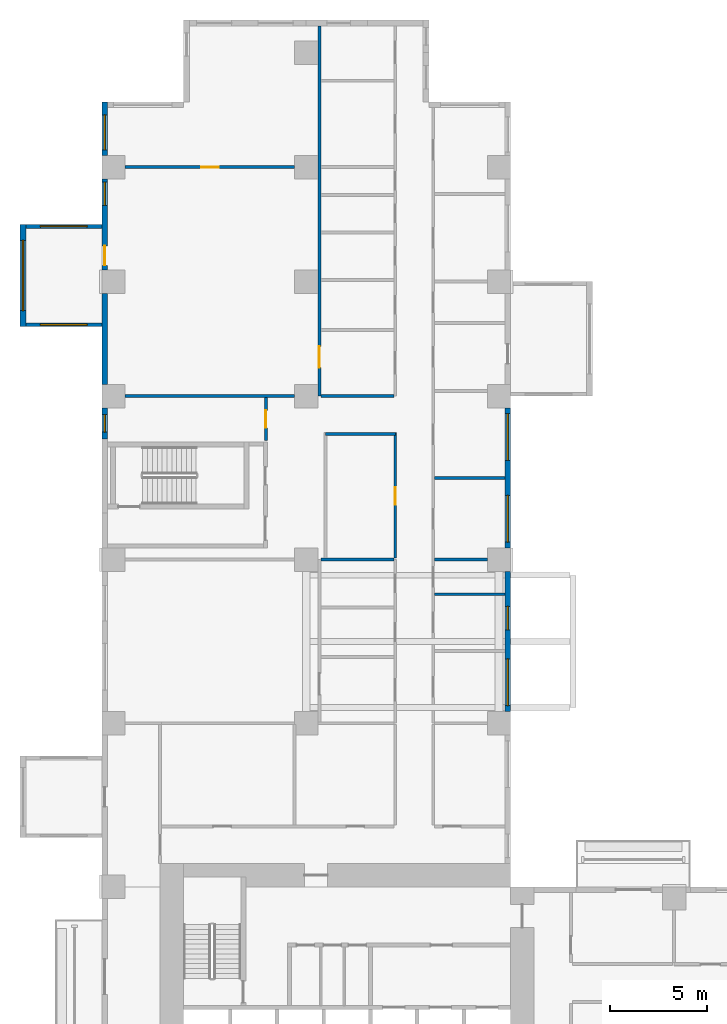
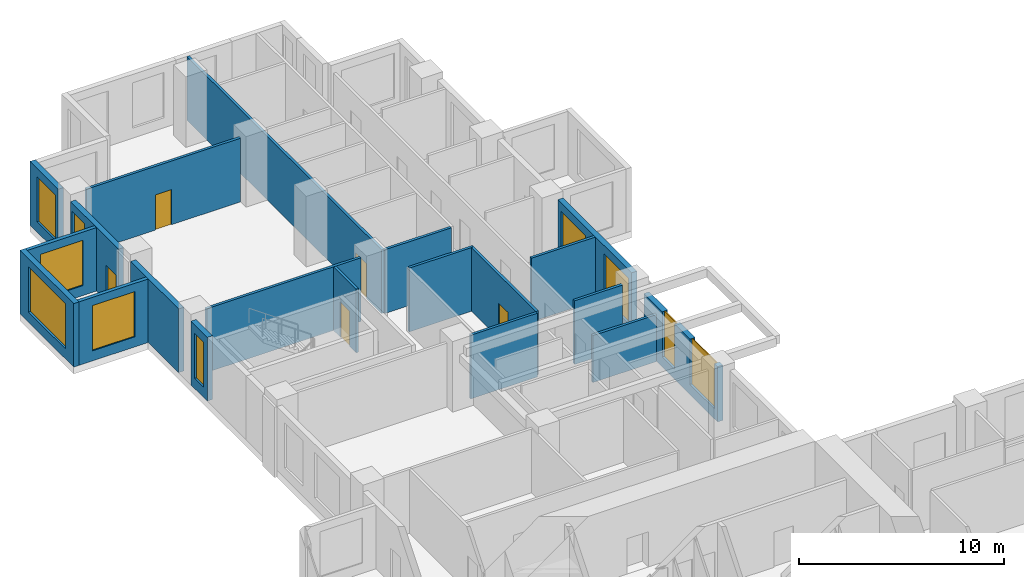
# One storey, part 7 of 14: 20 walls, 10 windows, 5 doors, 15 openings.
"""IFC4 building model written with IfcOpenShell, lengths in metres."""

from ifc_helpers import new_model, si_unit, direction, frame, frame_2d, origin, place, context, subcontext, project, spatial, rectangle, extrude, source, transform, mapped, material, layer, layer_set, type_object, element, fill, save


model = new_model("IFC4")

# Units and contexts
model_context = context("Model", 3, precision=1e-05, world=origin(), true_north=direction((0.0, 1.0)))
body_context = subcontext(model_context, "Body", "Model", "MODEL_VIEW")
ifc_project = project(units=[si_unit("LENGTHUNIT", "METRE"), si_unit("AREAUNIT", "SQUARE_METRE"), si_unit("VOLUMEUNIT", "CUBIC_METRE"), si_unit("PLANEANGLEUNIT", "RADIAN"), si_unit("MASSUNIT", "GRAM", prefix="KILO")], contexts=[model_context])

# Site, building, storey
site_placement = place(None, origin())
site = spatial("IfcSite", under=ifc_project, at=site_placement, CompositionType="ELEMENT")
building_placement = place(site_placement, origin())
building = spatial("IfcBuilding", under=site, at=building_placement, Name="Aurelian Terraces", CompositionType="ELEMENT")
storey_placement = place(building_placement, frame((0.0, 0.0, 44.7)))
storey = spatial("IfcBuildingStorey", under=building, at=storey_placement, Name="L08", CompositionType="ELEMENT", Elevation=44.7)

# Wall, opening, window
ifc_material_1 = material(Name="Concrete fc' 40 MPa", Category="concrete")
ifc_layer_1 = layer(ifc_material_1, 0.3)
ifc_layer_set_1 = layer_set([ifc_layer_1], Name="BOX BEARING WALL 300")
wall_type_1 = type_object("IfcWallType", Name="BOX BEARING WALL 300", PredefinedType="SOLIDWALL", material=ifc_layer_set_1)
wall_1_placement = place(storey_placement, frame((-4.05, 55.02, 0.0), z_axis=(0.0, 0.0, 1.0), x_axis=(0.0, -1.0, 0.0)))
wall_1 = element("IfcWall", 1, at=wall_1_placement, inside=storey, type_object=wall_type_1, Name="Box wall L08 J04", PredefinedType="SOLIDWALL", context=body_context, shape_type="SweptSolid", body=[
    extrude(rectangle(XDim=5.25, YDim=0.3, at=frame_2d((2.625, 0.0))), origin(), (0.0, 0.0, 1.0), 3.79),
])
shared_shape_1 = source(origin(), body_context, "Body", "SweptSolid", [
    extrude(rectangle(XDim=3.6, YDim=2.7, at=frame_2d((1.8, 1.35))), frame((0.0, 0.16, 0.0), z_axis=(0.0, -1.0, 0.0), x_axis=(1.0, 0.0, 0.0)), (0.0, 0.0, 1.0), 0.32),
])
opening_1_placement = place(wall_1_placement, frame((0.825, 0.0, 0.6)))
opening_1 = element("IfcOpeningElement", 2, at=opening_1_placement, cuts=wall_1, Name="Opening W3627", PredefinedType="OPENING", context=body_context, shape_type="MappedRepresentation", body=[
    mapped(shared_shape_1, transform((0.0, 0.0, 0.0), scale=1.0)),
])
ifc_material_2 = material(Name="Clear glazing", Category="glass")
window_type_1 = type_object("IfcWindowType", Name="W-3600x2700", PartitioningType="SINGLE_PANEL", PredefinedType="WINDOW", material=ifc_material_2)
shared_shape_2 = source(origin(), body_context, "Body", "SweptSolid", [
    extrude(rectangle(XDim=3.6, YDim=2.7, at=frame_2d((1.8, 1.35))), frame((0.0, 0.03, 0.0), z_axis=(0.0, -1.0, 0.0), x_axis=(1.0, 0.0, 0.0)), (0.0, 0.0, 1.0), 0.06),
])
window_1_placement = place(opening_1_placement, origin())
window_1 = element("IfcWindow", 3, at=window_1_placement, inside=storey, type_object=window_type_1, Name="Window L08 J04-F1", OverallHeight=2.7, OverallWidth=3.6, PartitioningType="SINGLE_PANEL", PredefinedType="WINDOW", context=body_context, shape_type="MappedRepresentation", body=[
    mapped(shared_shape_2, transform((0.0, 0.0, 0.0), scale=1.0)),
])
fill(opening_1, window_1)

# Wall, opening, door
ifc_material_3 = material(Name="Gypsum board on steel studs", Category="steel")
ifc_layer_2 = layer(ifc_material_3, 0.15)
ifc_layer_set_2 = layer_set([ifc_layer_2], Name="Partition 150")
wall_type_2 = type_object("IfcWallType", Name="Partition 150", PredefinedType="PARTITIONING", material=ifc_layer_set_2)
wall_2_placement = place(storey_placement, frame((11.175, 46.2, 0.0), z_axis=(0.0, 0.0, 1.0), x_axis=(0.0, 1.0, 0.0)))
wall_2 = element("IfcWall", 4, at=wall_2_placement, inside=storey, type_object=wall_type_2, Name="Partition", PredefinedType="PARTITIONING", context=body_context, shape_type="SweptSolid", body=[
    extrude(rectangle(XDim=19.02, YDim=0.15, at=frame_2d((9.51, 0.0))), origin(), (0.0, 0.0, 1.0), 3.8),
])
shared_shape_3 = source(origin(), body_context, "Body", "SweptSolid", [
    extrude(rectangle(XDim=1.1, YDim=2.1, at=frame_2d((0.55, 1.05))), frame((0.0, 0.085, 0.0), z_axis=(0.0, -1.0, 0.0), x_axis=(1.0, 0.0, 0.0)), (0.0, 0.0, 1.0), 0.17),
])
opening_2_placement = place(wall_2_placement, frame((1.4603, 0.0, 0.0)))
opening_2 = element("IfcOpeningElement", 5, at=opening_2_placement, cuts=wall_2, Name="Opening 708039", PredefinedType="OPENING", context=body_context, shape_type="MappedRepresentation", body=[
    mapped(shared_shape_3, transform((0.0, 0.0, 0.0), scale=1.0)),
])
ifc_material_4 = material(Name="Timber door leaf", Category="wood")
door_type_1 = type_object("IfcDoorType", Name="Room door 1100x2100 left", OperationType="SINGLE_SWING_LEFT", PredefinedType="DOOR", material=ifc_material_4)
shared_shape_4 = source(origin(), body_context, "Body", "SweptSolid", [
    extrude(rectangle(XDim=1.1, YDim=2.1, at=frame_2d((0.55, 1.05))), frame((0.0, 0.025, 0.0), z_axis=(0.0, -1.0, 0.0), x_axis=(1.0, 0.0, 0.0)), (0.0, 0.0, 1.0), 0.05),
])
door_1_placement = place(opening_2_placement, origin())
door_1 = element("IfcDoor", 6, at=door_1_placement, inside=storey, type_object=door_type_1, Name="Door 708039", OperationType="SINGLE_SWING_LEFT", OverallHeight=2.1, OverallWidth=1.1, PredefinedType="DOOR", context=body_context, shape_type="MappedRepresentation", body=[
    mapped(shared_shape_4, transform((0.0, 0.0, 0.0), scale=1.0)),
])
fill(opening_2, door_1)

# Wall, openings, windows
ifc_material_5 = material(Name="Terracotta rainscreen cladding", Category="masonry")
ifc_layer_3 = layer(ifc_material_5, 0.3)
ifc_layer_set_3 = layer_set([ifc_layer_3], Name="EW-300")
wall_type_3 = type_object("IfcWallType", Name="EW-300", PredefinedType="STANDARD", material=ifc_layer_set_3)
shared_shape_5 = source(origin(), body_context, "Body", "SweptSolid", [
    extrude(rectangle(XDim=7.2, YDim=0.3, at=frame_2d((3.6, 0.0))), origin(), (0.0, 0.0, 1.0), 3.8),
])
wall_3_placement = place(storey_placement, frame((20.85, 38.4, 0.0), z_axis=(0.0, 0.0, 1.0), x_axis=(0.0, 1.0, 0.0)))
wall_3 = element("IfcWall", 7, at=wall_3_placement, inside=storey, type_object=wall_type_3, Name="External wall L08 F08.30", PredefinedType="STANDARD", context=body_context, shape_type="MappedRepresentation", body=[
    mapped(shared_shape_5, transform((0.0, 0.0, 0.0), scale=1.0)),
])
shared_shape_6 = source(origin(), body_context, "Body", "SweptSolid", [
    extrude(rectangle(XDim=2.4, YDim=2.7, at=frame_2d((1.2, 1.35))), frame((0.0, 0.16, 0.0), z_axis=(0.0, -1.0, 0.0), x_axis=(1.0, 0.0, 0.0)), (0.0, 0.0, 1.0), 0.32),
])
opening_3_placement = place(wall_3_placement, frame((0.3, 0.0, 0.6)))
opening_3 = element("IfcOpeningElement", 8, at=opening_3_placement, cuts=wall_3, Name="Opening W2427", PredefinedType="OPENING", context=body_context, shape_type="MappedRepresentation", body=[
    mapped(shared_shape_6, transform((0.0, 0.0, 0.0), scale=1.0)),
])
opening_4_placement = place(wall_3_placement, frame((4.5, 0.0, 0.6)))
opening_4 = element("IfcOpeningElement", 9, at=opening_4_placement, cuts=wall_3, Name="Opening W2427", PredefinedType="OPENING", context=body_context, shape_type="MappedRepresentation", body=[
    mapped(shared_shape_6, transform((0.0, 0.0, 0.0), scale=1.0)),
])
window_type_2 = type_object("IfcWindowType", Name="W-2400x2700", PartitioningType="SINGLE_PANEL", PredefinedType="WINDOW", material=ifc_material_2)
shared_shape_7 = source(origin(), body_context, "Body", "SweptSolid", [
    extrude(rectangle(XDim=2.4, YDim=2.7, at=frame_2d((1.2, 1.35))), frame((0.0, 0.03, 0.0), z_axis=(0.0, -1.0, 0.0), x_axis=(1.0, 0.0, 0.0)), (0.0, 0.0, 1.0), 0.06),
])
window_2_placement = place(opening_3_placement, origin())
window_2 = element("IfcWindow", 10, at=window_2_placement, inside=storey, type_object=window_type_2, Name="Window L08 L08-F08-30-0", OverallHeight=2.7, OverallWidth=2.4, PartitioningType="SINGLE_PANEL", PredefinedType="WINDOW", context=body_context, shape_type="MappedRepresentation", body=[
    mapped(shared_shape_7, transform((0.0, 0.0, 0.0), scale=1.0)),
])
fill(opening_3, window_2)
window_3_placement = place(opening_4_placement, origin())
window_3 = element("IfcWindow", 11, at=window_3_placement, inside=storey, type_object=window_type_2, Name="Window L08 L08-F08-30-1", OverallHeight=2.7, OverallWidth=2.4, PartitioningType="SINGLE_PANEL", PredefinedType="WINDOW", context=body_context, shape_type="MappedRepresentation", body=[
    mapped(shared_shape_7, transform((0.0, 0.0, 0.0), scale=1.0)),
])
fill(opening_4, window_3)

# Wall, openings, window, door
shared_shape_8 = source(origin(), body_context, "Body", "SweptSolid", [
    extrude(rectangle(XDim=4.68, YDim=0.3, at=frame_2d((2.34, 0.0))), origin(), (0.0, 0.0, 1.0), 3.8),
])
wall_4_placement = place(storey_placement, frame((0.15, 57.36, 0.0), z_axis=(0.0, 0.0, 1.0), x_axis=(0.0, -1.0, 0.0)))
wall_4 = element("IfcWall", 12, at=wall_4_placement, inside=storey, type_object=wall_type_3, Name="External wall L08 F14.42", PredefinedType="STANDARD", context=body_context, shape_type="MappedRepresentation", body=[
    mapped(shared_shape_8, transform((0.0, 0.0, 0.0), scale=1.0)),
])
shared_shape_9 = source(origin(), body_context, "Body", "SweptSolid", [
    extrude(rectangle(XDim=1.2, YDim=2.7, at=frame_2d((0.6, 1.35))), frame((0.0, 0.16, 0.0), z_axis=(0.0, -1.0, 0.0), x_axis=(1.0, 0.0, 0.0)), (0.0, 0.0, 1.0), 0.32),
])
opening_5_placement = place(wall_4_placement, frame((0.165, 0.0, 0.6)))
opening_5 = element("IfcOpeningElement", 13, at=opening_5_placement, cuts=wall_4, Name="Opening W1227", PredefinedType="OPENING", context=body_context, shape_type="MappedRepresentation", body=[
    mapped(shared_shape_9, transform((0.0, 0.0, 0.0), scale=1.0)),
])
shared_shape_10 = source(origin(), body_context, "Body", "SweptSolid", [
    extrude(rectangle(XDim=1.0, YDim=2.1, at=frame_2d((0.5, 1.05))), frame((0.0, 0.16, 0.0), z_axis=(0.0, -1.0, 0.0), x_axis=(1.0, 0.0, 0.0)), (0.0, 0.0, 1.0), 0.32),
])
opening_6_placement = place(wall_4_placement, frame((3.4442, 0.0, 0.0)))
opening_6 = element("IfcOpeningElement", 14, at=opening_6_placement, cuts=wall_4, Name="Opening 808004", PredefinedType="OPENING", context=body_context, shape_type="MappedRepresentation", body=[
    mapped(shared_shape_10, transform((0.0, 0.0, 0.0), scale=1.0)),
])
window_type_3 = type_object("IfcWindowType", Name="W-1200x2700", PartitioningType="SINGLE_PANEL", PredefinedType="WINDOW", material=ifc_material_2)
shared_shape_11 = source(origin(), body_context, "Body", "SweptSolid", [
    extrude(rectangle(XDim=1.2, YDim=2.7, at=frame_2d((0.6, 1.35))), frame((0.0, 0.03, 0.0), z_axis=(0.0, -1.0, 0.0), x_axis=(1.0, 0.0, 0.0)), (0.0, 0.0, 1.0), 0.06),
])
window_4_placement = place(opening_5_placement, origin())
window_4 = element("IfcWindow", 15, at=window_4_placement, inside=storey, type_object=window_type_3, Name="Window L08 L08-F14-42-1", OverallHeight=2.7, OverallWidth=1.2, PartitioningType="SINGLE_PANEL", PredefinedType="WINDOW", context=body_context, shape_type="MappedRepresentation", body=[
    mapped(shared_shape_11, transform((0.0, 0.0, 0.0), scale=1.0)),
])
fill(opening_5, window_4)
door_type_2 = type_object("IfcDoorType", Name="Room door 1000x2100 left", OperationType="SINGLE_SWING_LEFT", PredefinedType="DOOR", material=ifc_material_4)
shared_shape_12 = source(origin(), body_context, "Body", "SweptSolid", [
    extrude(rectangle(XDim=1.0, YDim=2.1, at=frame_2d((0.5, 1.05))), frame((0.0, 0.025, 0.0), z_axis=(0.0, -1.0, 0.0), x_axis=(1.0, 0.0, 0.0)), (0.0, 0.0, 1.0), 0.05),
])
door_2_placement = place(opening_6_placement, origin())
door_2 = element("IfcDoor", 16, at=door_2_placement, inside=storey, type_object=door_type_2, Name="Door 808004", OperationType="SINGLE_SWING_LEFT", OverallHeight=2.1, OverallWidth=1.0, PredefinedType="DOOR", context=body_context, shape_type="MappedRepresentation", body=[
    mapped(shared_shape_12, transform((0.0, 0.0, 0.0), scale=1.0)),
])
fill(opening_6, door_2)

# Wall
wall_5_placement = place(storey_placement, frame((0.15, 51.48, 0.0), z_axis=(0.0, 0.0, 1.0), x_axis=(0.0, -1.0, 0.0)))
element("IfcWall", 17, at=wall_5_placement, inside=storey, type_object=wall_type_3, Name="External wall L08 F14.42", PredefinedType="STANDARD", context=body_context, shape_type="MappedRepresentation", body=[
    mapped(shared_shape_8, transform((0.0, 0.0, 0.0), scale=1.0)),
])

# Wall, opening, window
shared_shape_13 = source(origin(), body_context, "Body", "SweptSolid", [
    extrude(rectangle(XDim=2.76, YDim=0.3, at=frame_2d((1.38, 0.0))), origin(), (0.0, 0.0, 1.0), 3.8),
])
wall_6_placement = place(storey_placement, frame((0.15, 61.32, 0.0), z_axis=(0.0, 0.0, 1.0), x_axis=(0.0, -1.0, 0.0)))
wall_6 = element("IfcWall", 18, at=wall_6_placement, inside=storey, type_object=wall_type_3, Name="External wall L08 F14.42", PredefinedType="STANDARD", context=body_context, shape_type="MappedRepresentation", body=[
    mapped(shared_shape_13, transform((0.0, 0.0, 0.0), scale=1.0)),
])
shared_shape_14 = source(origin(), body_context, "Body", "SweptSolid", [
    extrude(rectangle(XDim=1.8, YDim=2.7, at=frame_2d((0.9, 1.35))), frame((0.0, 0.16, 0.0), z_axis=(0.0, -1.0, 0.0), x_axis=(1.0, 0.0, 0.0)), (0.0, 0.0, 1.0), 0.32),
])
opening_7_placement = place(wall_6_placement, frame((0.675, 0.0, 0.6)))
opening_7 = element("IfcOpeningElement", 19, at=opening_7_placement, cuts=wall_6, Name="Opening W1827", PredefinedType="OPENING", context=body_context, shape_type="MappedRepresentation", body=[
    mapped(shared_shape_14, transform((0.0, 0.0, 0.0), scale=1.0)),
])
window_type_4 = type_object("IfcWindowType", Name="W-1800x2700", PartitioningType="SINGLE_PANEL", PredefinedType="WINDOW", material=ifc_material_2)
shared_shape_15 = source(origin(), body_context, "Body", "SweptSolid", [
    extrude(rectangle(XDim=1.8, YDim=2.7, at=frame_2d((0.9, 1.35))), frame((0.0, 0.03, 0.0), z_axis=(0.0, -1.0, 0.0), x_axis=(1.0, 0.0, 0.0)), (0.0, 0.0, 1.0), 0.06),
])
window_5_placement = place(opening_7_placement, origin())
window_5 = element("IfcWindow", 20, at=window_5_placement, inside=storey, type_object=window_type_4, Name="Window L08 L08-F14-42-0", OverallHeight=2.7, OverallWidth=1.8, PartitioningType="SINGLE_PANEL", PredefinedType="WINDOW", context=body_context, shape_type="MappedRepresentation", body=[
    mapped(shared_shape_15, transform((0.0, 0.0, 0.0), scale=1.0)),
])
fill(opening_7, window_5)

shared_shape_16 = source(origin(), body_context, "Body", "SweptSolid", [
    extrude(rectangle(XDim=1.6, YDim=0.3, at=frame_2d((0.8, 0.0))), origin(), (0.0, 0.0, 1.0), 3.8),
])
wall_7_placement = place(storey_placement, frame((0.15, 45.6, 0.0), z_axis=(0.0, 0.0, 1.0), x_axis=(0.0, -1.0, 0.0)))
wall_7 = element("IfcWall", 21, at=wall_7_placement, inside=storey, type_object=wall_type_3, Name="External wall L08 F14.42", PredefinedType="STANDARD", context=body_context, shape_type="MappedRepresentation", body=[
    mapped(shared_shape_16, transform((0.0, 0.0, 0.0), scale=1.0)),
])
shared_shape_17 = source(origin(), body_context, "Body", "SweptSolid", [
    extrude(rectangle(XDim=0.9, YDim=2.7, at=frame_2d((0.45, 1.35))), frame((0.0, 0.16, 0.0), z_axis=(0.0, -1.0, 0.0), x_axis=(1.0, 0.0, 0.0)), (0.0, 0.0, 1.0), 0.32),
])
opening_8_placement = place(wall_7_placement, frame((0.35, 0.0, 0.6)))
opening_8 = element("IfcOpeningElement", 22, at=opening_8_placement, cuts=wall_7, Name="Opening W0927", PredefinedType="OPENING", context=body_context, shape_type="MappedRepresentation", body=[
    mapped(shared_shape_17, transform((0.0, 0.0, 0.0), scale=1.0)),
])
window_type_5 = type_object("IfcWindowType", Name="W-900x2700", PartitioningType="SINGLE_PANEL", PredefinedType="WINDOW", material=ifc_material_2)
shared_shape_18 = source(origin(), body_context, "Body", "SweptSolid", [
    extrude(rectangle(XDim=0.9, YDim=2.7, at=frame_2d((0.45, 1.35))), frame((0.0, 0.03, 0.0), z_axis=(0.0, -1.0, 0.0), x_axis=(1.0, 0.0, 0.0)), (0.0, 0.0, 1.0), 0.06),
])
window_6_placement = place(opening_8_placement, origin())
window_6 = element("IfcWindow", 23, at=window_6_placement, inside=storey, type_object=window_type_5, Name="Window L08 L08-F14-42-P3", OverallHeight=2.7, OverallWidth=0.9, PartitioningType="SINGLE_PANEL", PredefinedType="WINDOW", context=body_context, shape_type="MappedRepresentation", body=[
    mapped(shared_shape_18, transform((0.0, 0.0, 0.0), scale=1.0)),
])
fill(opening_8, window_6)

# Wall, openings, windows
shared_shape_19 = source(origin(), body_context, "Body", "SweptSolid", [
    extrude(rectangle(XDim=7.2, YDim=0.3, at=frame_2d((3.6, 0.0))), origin(), (0.0, 0.0, 1.0), 3.3),
])
wall_8_placement = place(storey_placement, frame((20.85, 30.0, 0.0), z_axis=(0.0, 0.0, 1.0), x_axis=(0.0, 1.0, 0.0)))
wall_8 = element("IfcWall", 24, at=wall_8_placement, inside=storey, type_object=wall_type_3, Name="External wall L08 F08.29", PredefinedType="STANDARD", context=body_context, shape_type="MappedRepresentation", body=[
    mapped(shared_shape_19, transform((0.0, 0.0, 0.0), scale=1.0)),
])
opening_9_placement = place(wall_8_placement, frame((0.3, 0.0, 0.6)))
opening_9 = element("IfcOpeningElement", 25, at=opening_9_placement, cuts=wall_8, Name="Opening W2427", PredefinedType="OPENING", context=body_context, shape_type="MappedRepresentation", body=[
    mapped(shared_shape_6, transform((0.0, 0.0, 0.0), scale=1.0)),
])
opening_10_placement = place(wall_8_placement, frame((4.1995, 0.0, 0.6)))
opening_10 = element("IfcOpeningElement", 26, at=opening_10_placement, cuts=wall_8, Name="Opening W1227", PredefinedType="OPENING", context=body_context, shape_type="MappedRepresentation", body=[
    mapped(shared_shape_9, transform((0.0, 0.0, 0.0), scale=1.0)),
])
window_7_placement = place(opening_9_placement, origin())
window_7 = element("IfcWindow", 27, at=window_7_placement, inside=storey, type_object=window_type_2, Name="Window L08 L08-F08-29-0", OverallHeight=2.7, OverallWidth=2.4, PartitioningType="SINGLE_PANEL", PredefinedType="WINDOW", context=body_context, shape_type="MappedRepresentation", body=[
    mapped(shared_shape_7, transform((0.0, 0.0, 0.0), scale=1.0)),
])
fill(opening_9, window_7)
window_8_placement = place(opening_10_placement, origin())
window_8 = element("IfcWindow", 28, at=window_8_placement, inside=storey, type_object=window_type_3, Name="Window L08 L08-F08-29-G0-33", OverallHeight=2.7, OverallWidth=1.2, PartitioningType="SINGLE_PANEL", PredefinedType="WINDOW", context=body_context, shape_type="MappedRepresentation", body=[
    mapped(shared_shape_11, transform((0.0, 0.0, 0.0), scale=1.0)),
])
fill(opening_10, window_8)

# Wall, opening, window
ifc_layer_4 = layer(ifc_material_1, 0.2)
ifc_layer_set_4 = layer_set([ifc_layer_4], Name="BOX BEARING WALL 200")
wall_type_4 = type_object("IfcWallType", Name="BOX BEARING WALL 200", PredefinedType="SOLIDWALL", material=ifc_layer_set_4)
shared_shape_20 = source(origin(), body_context, "Body", "SweptSolid", [
    extrude(rectangle(XDim=3.9, YDim=0.2, at=frame_2d((1.95, 0.0))), origin(), (0.0, 0.0, 1.0), 3.79),
])
wall_9_placement = place(storey_placement, frame((0.0, 54.92, 0.0), z_axis=(0.0, 0.0, 1.0), x_axis=(-1.0, 0.0, 0.0)))
wall_9 = element("IfcWall", 29, at=wall_9_placement, inside=storey, type_object=wall_type_4, Name="Box return L08 J04.1", PredefinedType="SOLIDWALL", context=body_context, shape_type="MappedRepresentation", body=[
    mapped(shared_shape_20, transform((0.0, 0.0, 0.0), scale=1.0)),
])
shared_shape_21 = source(origin(), body_context, "Body", "SweptSolid", [
    extrude(rectangle(XDim=2.4, YDim=2.7, at=frame_2d((1.2, 1.35))), frame((0.0, 0.11, 0.0), z_axis=(0.0, -1.0, 0.0), x_axis=(1.0, 0.0, 0.0)), (0.0, 0.0, 1.0), 0.22),
])
opening_11_placement = place(wall_9_placement, frame((0.75, 0.0, 0.6)))
opening_11 = element("IfcOpeningElement", 30, at=opening_11_placement, cuts=wall_9, Name="Opening W2427", PredefinedType="OPENING", context=body_context, shape_type="MappedRepresentation", body=[
    mapped(shared_shape_21, transform((0.0, 0.0, 0.0), scale=1.0)),
])
window_9_placement = place(opening_11_placement, origin())
window_9 = element("IfcWindow", 31, at=window_9_placement, inside=storey, type_object=window_type_2, Name="Window L08 J04-S1", OverallHeight=2.7, OverallWidth=2.4, PartitioningType="SINGLE_PANEL", PredefinedType="WINDOW", context=body_context, shape_type="MappedRepresentation", body=[
    mapped(shared_shape_7, transform((0.0, 0.0, 0.0), scale=1.0)),
])
fill(opening_11, window_9)

wall_10_placement = place(storey_placement, frame((0.0, 49.87, 0.0), z_axis=(0.0, 0.0, 1.0), x_axis=(-1.0, 0.0, 0.0)))
wall_10 = element("IfcWall", 32, at=wall_10_placement, inside=storey, type_object=wall_type_4, Name="Box return L08 J04.2", PredefinedType="SOLIDWALL", context=body_context, shape_type="MappedRepresentation", body=[
    mapped(shared_shape_20, transform((0.0, 0.0, 0.0), scale=1.0)),
])
opening_12_placement = place(wall_10_placement, frame((0.75, 0.0, 0.6)))
opening_12 = element("IfcOpeningElement", 33, at=opening_12_placement, cuts=wall_10, Name="Opening W2427", PredefinedType="OPENING", context=body_context, shape_type="MappedRepresentation", body=[
    mapped(shared_shape_21, transform((0.0, 0.0, 0.0), scale=1.0)),
])
window_10_placement = place(opening_12_placement, origin())
window_10 = element("IfcWindow", 34, at=window_10_placement, inside=storey, type_object=window_type_2, Name="Window L08 J04-S2", OverallHeight=2.7, OverallWidth=2.4, PartitioningType="SINGLE_PANEL", PredefinedType="WINDOW", context=body_context, shape_type="MappedRepresentation", body=[
    mapped(shared_shape_7, transform((0.0, 0.0, 0.0), scale=1.0)),
])
fill(opening_12, window_10)

# Wall, opening, door
ifc_layer_5 = layer(ifc_material_3, 0.15)
ifc_layer_set_5 = layer_set([ifc_layer_5], Name="Fire partition 150")
wall_type_5 = type_object("IfcWallType", Name="Fire partition 150", PredefinedType="PARTITIONING", material=ifc_layer_set_5)
shared_shape_22 = source(origin(), body_context, "Body", "SweptSolid", [
    extrude(rectangle(XDim=6.45, YDim=0.15, at=frame_2d((3.225, 0.0))), origin(), (0.0, 0.0, 1.0), 3.8),
])
wall_11_placement = place(storey_placement, frame((15.075, 37.875, 0.0), z_axis=(0.0, 0.0, 1.0), x_axis=(0.0, 1.0, 0.0)))
wall_11 = element("IfcWall", 35, at=wall_11_placement, inside=storey, type_object=wall_type_5, Name="Corridor wall", PredefinedType="PARTITIONING", context=body_context, shape_type="MappedRepresentation", body=[
    mapped(shared_shape_22, transform((0.0, 0.0, 0.0), scale=1.0)),
])
shared_shape_23 = source(origin(), body_context, "Body", "SweptSolid", [
    extrude(rectangle(XDim=0.9, YDim=2.1, at=frame_2d((0.45, 1.05))), frame((0.0, 0.085, 0.0), z_axis=(0.0, -1.0, 0.0), x_axis=(1.0, 0.0, 0.0)), (0.0, 0.0, 1.0), 0.17),
])
opening_13_placement = place(wall_11_placement, frame((2.7375, 0.0, 0.0)))
opening_13 = element("IfcOpeningElement", 36, at=opening_13_placement, cuts=wall_11, Name="Opening 708032", PredefinedType="OPENING", context=body_context, shape_type="MappedRepresentation", body=[
    mapped(shared_shape_23, transform((0.0, 0.0, 0.0), scale=1.0)),
])
door_type_3 = type_object("IfcDoorType", Name="Room door 900x2100 left", OperationType="SINGLE_SWING_LEFT", PredefinedType="DOOR", material=ifc_material_4)
shared_shape_24 = source(origin(), body_context, "Body", "SweptSolid", [
    extrude(rectangle(XDim=0.9, YDim=2.1, at=frame_2d((0.45, 1.05))), frame((0.0, 0.025, 0.0), z_axis=(0.0, -1.0, 0.0), x_axis=(1.0, 0.0, 0.0)), (0.0, 0.0, 1.0), 0.05),
])
door_3_placement = place(opening_13_placement, origin())
door_3 = element("IfcDoor", 37, at=door_3_placement, inside=storey, type_object=door_type_3, Name="Door 708032", OperationType="SINGLE_SWING_LEFT", OverallHeight=2.1, OverallWidth=0.9, PredefinedType="DOOR", context=body_context, shape_type="MappedRepresentation", body=[
    mapped(shared_shape_24, transform((0.0, 0.0, 0.0), scale=1.0)),
])
fill(opening_13, door_3)

# Walls
shared_shape_25 = source(origin(), body_context, "Body", "SweptSolid", [
    extrude(rectangle(XDim=3.75, YDim=0.15, at=frame_2d((1.875, 0.0))), origin(), (0.0, 0.0, 1.0), 3.8),
])
for number, where, z_axis, x_axis, name in (
    (38, (15.0, 37.8, 0.0), (0.0, 0.0, 1.0), (-1.0, 0.0, 0.0), "Partition"),
    (39, (15.0, 46.2, 0.0), (0.0, 0.0, 1.0), (-1.0, 0.0, 0.0), "Partition"),
):
    element("IfcWall", number, at=place(storey_placement, frame(where, z_axis=z_axis, x_axis=x_axis)), inside=storey, type_object=wall_type_2, Name=name, PredefinedType="PARTITIONING", context=body_context, shape_type="MappedRepresentation", body=[
        mapped(shared_shape_25, transform((0.0, 0.0, 0.0), scale=1.0)),
    ])
shared_shape_26 = source(origin(), body_context, "Body", "SweptSolid", [
    extrude(rectangle(XDim=8.702, YDim=0.15, at=frame_2d((4.351, 0.0))), origin(), (0.0, 0.0, 1.0), 3.8),
])
wall_12_placement = place(storey_placement, frame((9.901, 46.2, 0.0), z_axis=(0.0, 0.0, 1.0), x_axis=(-1.0, 0.0, 0.0)))
element("IfcWall", 40, at=wall_12_placement, inside=storey, type_object=wall_type_2, Name="Partition", PredefinedType="PARTITIONING", context=body_context, shape_type="MappedRepresentation", body=[
    mapped(shared_shape_26, transform((0.0, 0.0, 0.0), scale=1.0)),
])

# Wall, opening, door
wall_13_placement = place(storey_placement, frame((9.901, 57.96, 0.0), z_axis=(0.0, 0.0, 1.0), x_axis=(-1.0, 0.0, 0.0)))
wall_13 = element("IfcWall", 41, at=wall_13_placement, inside=storey, type_object=wall_type_2, Name="Partition", PredefinedType="PARTITIONING", context=body_context, shape_type="MappedRepresentation", body=[
    mapped(shared_shape_26, transform((0.0, 0.0, 0.0), scale=1.0)),
])
opening_14_placement = place(wall_13_placement, frame((3.901, 0.0, 0.0)))
opening_14 = element("IfcOpeningElement", 42, at=opening_14_placement, cuts=wall_13, Name="Opening 708056", PredefinedType="OPENING", context=body_context, shape_type="MappedRepresentation", body=[
    mapped(shared_shape_23, transform((0.0, 0.0, 0.0), scale=1.0)),
])
door_4_placement = place(opening_14_placement, origin())
door_4 = element("IfcDoor", 43, at=door_4_placement, inside=storey, type_object=door_type_3, Name="Door 708056", OperationType="SINGLE_SWING_LEFT", OverallHeight=2.1, OverallWidth=0.9, PredefinedType="DOOR", context=body_context, shape_type="MappedRepresentation", body=[
    mapped(shared_shape_24, transform((0.0, 0.0, 0.0), scale=1.0)),
])
fill(opening_14, door_4)

# Walls
shared_shape_27 = source(origin(), body_context, "Body", "SweptSolid", [
    extrude(rectangle(XDim=3.6, YDim=0.15, at=frame_2d((1.8, 0.0))), origin(), (0.0, 0.0, 1.0), 3.8),
])
wall_14_placement = place(storey_placement, frame((20.7, 42.0, 0.0), z_axis=(0.0, 0.0, 1.0), x_axis=(-1.0, 0.0, 0.0)))
element("IfcWall", 44, at=wall_14_placement, inside=storey, type_object=wall_type_2, Name="Partition", PredefinedType="PARTITIONING", context=body_context, shape_type="MappedRepresentation", body=[
    mapped(shared_shape_27, transform((0.0, 0.0, 0.0), scale=1.0)),
])
shared_shape_28 = source(origin(), body_context, "Body", "SweptSolid", [
    extrude(rectangle(XDim=2.701, YDim=0.15, at=frame_2d((1.3505, 0.0))), origin(), (0.0, 0.0, 1.0), 3.8),
])
wall_15_placement = place(storey_placement, frame((19.801, 37.8, 0.0), z_axis=(0.0, 0.0, 1.0), x_axis=(-1.0, 0.0, 0.0)))
element("IfcWall", 45, at=wall_15_placement, inside=storey, type_object=wall_type_2, Name="Partition", PredefinedType="PARTITIONING", context=body_context, shape_type="MappedRepresentation", body=[
    mapped(shared_shape_28, transform((0.0, 0.0, 0.0), scale=1.0)),
])

# Wall, opening, door
shared_shape_29 = source(origin(), body_context, "Body", "SweptSolid", [
    extrude(rectangle(XDim=2.2, YDim=0.15, at=frame_2d((1.1, 0.0))), origin(), (0.0, 0.0, 1.0), 3.8),
])
wall_16_placement = place(storey_placement, frame((8.425, 43.925, 0.0), z_axis=(0.0, 0.0, 1.0), x_axis=(0.0, 1.0, 0.0)))
wall_16 = element("IfcWall", 46, at=wall_16_placement, inside=storey, type_object=wall_type_2, Name="Partition", PredefinedType="PARTITIONING", context=body_context, shape_type="MappedRepresentation", body=[
    mapped(shared_shape_29, transform((0.0, 0.0, 0.0), scale=1.0)),
])
opening_15_placement = place(wall_16_placement, frame((0.65, 0.0, 0.0)))
opening_15 = element("IfcOpeningElement", 47, at=opening_15_placement, cuts=wall_16, Name="Opening 708033", PredefinedType="OPENING", context=body_context, shape_type="MappedRepresentation", body=[
    mapped(shared_shape_23, transform((0.0, 0.0, 0.0), scale=1.0)),
])
door_5_placement = place(opening_15_placement, origin())
door_5 = element("IfcDoor", 48, at=door_5_placement, inside=storey, type_object=door_type_3, Name="Door 708033", OperationType="SINGLE_SWING_LEFT", OverallHeight=2.1, OverallWidth=0.9, PredefinedType="DOOR", context=body_context, shape_type="MappedRepresentation", body=[
    mapped(shared_shape_24, transform((0.0, 0.0, 0.0), scale=1.0)),
])
fill(opening_15, door_5)

# Walls
shared_shape_30 = source(origin(), body_context, "Body", "SweptSolid", [
    extrude(rectangle(XDim=3.575, YDim=0.15, at=frame_2d((1.7875, 0.0))), origin(), (0.0, 0.0, 1.0), 3.8),
])
wall_17_placement = place(storey_placement, frame((15.075, 44.25, 0.0), z_axis=(0.0, 0.0, 1.0), x_axis=(-1.0, 0.0, 0.0)))
element("IfcWall", 49, at=wall_17_placement, inside=storey, type_object=wall_type_2, Name="Partition", PredefinedType="PARTITIONING", context=body_context, shape_type="MappedRepresentation", body=[
    mapped(shared_shape_30, transform((0.0, 0.0, 0.0), scale=1.0)),
])
shared_shape_31 = source(origin(), body_context, "Body", "SweptSolid", [
    extrude(rectangle(XDim=3.6, YDim=0.15, at=frame_2d((1.8, 0.0))), origin(), (0.0, 0.0, 1.0), 2.8),
])
wall_18_placement = place(storey_placement, frame((17.1, 36.024, 0.0), z_axis=(0.0, 0.0, 1.0), x_axis=(1.0, 0.0, 0.0)))
element("IfcWall", 50, at=wall_18_placement, inside=storey, type_object=wall_type_2, Name="Partition", PredefinedType="PARTITIONING", context=body_context, shape_type="MappedRepresentation", body=[
    mapped(shared_shape_31, transform((0.0, 0.0, 0.0), scale=1.0)),
])

save(model, "model.ifc")
